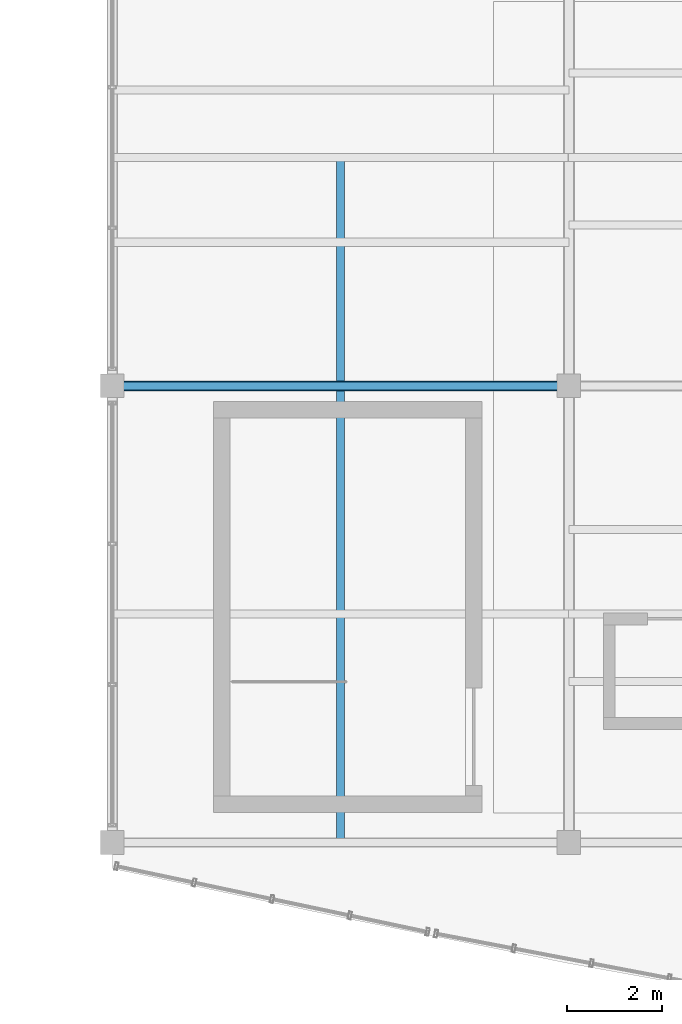
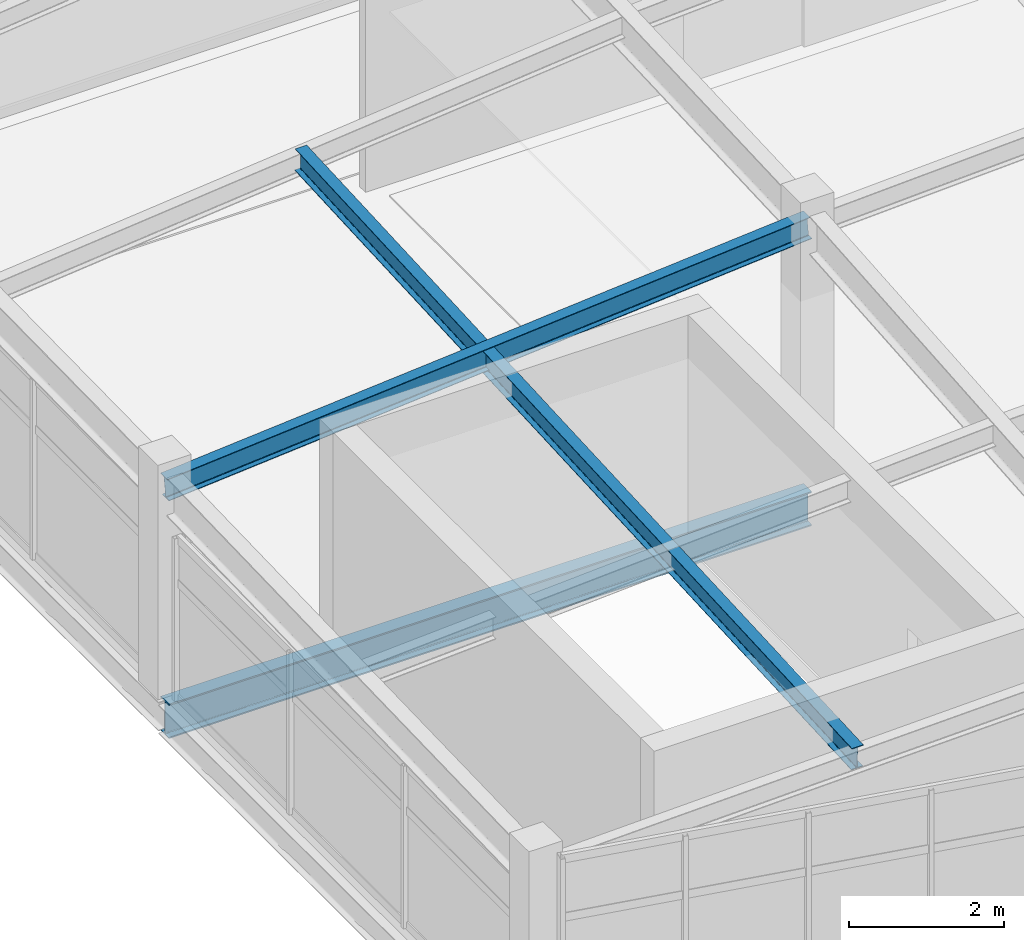
# One storey, part 33 of 65: 2 members, 1 beam.
"""IFC4 building model written with IfcOpenShell, lengths in metres."""

from ifc_helpers import new_model, si_unit, direction, frame, origin, origin_2d, place, context, subcontext, project, spatial, i_section, extrude, material, material_profile, profile_set, type_object, element, save


model = new_model("IFC4")

# Units and contexts
model_context = context("Model", 3, precision=1e-05, world=origin(), true_north=direction((0.0, 1.0)))
body_context = subcontext(model_context, "Body", "Model", "MODEL_VIEW")
ifc_project = project(units=[si_unit("LENGTHUNIT", "METRE"), si_unit("AREAUNIT", "SQUARE_METRE"), si_unit("VOLUMEUNIT", "CUBIC_METRE"), si_unit("PLANEANGLEUNIT", "RADIAN"), si_unit("MASSUNIT", "GRAM", prefix="KILO")], contexts=[model_context])

# Site, building, storey
site_placement = place(None, origin())
site = spatial("IfcSite", under=ifc_project, at=site_placement, CompositionType="ELEMENT")
building_placement = place(site_placement, origin())
building = spatial("IfcBuilding", under=site, at=building_placement, Name="Chalmorin Arch Market", CompositionType="ELEMENT")
storey_placement = place(building_placement, frame((0.0, 0.0, 14.10009765625)))
storey = spatial("IfcBuildingStorey", under=building, at=storey_placement, Name="L03", CompositionType="ELEMENT", Elevation=14.10009765625)

# Beam
ifc_material = material(Name="Steel A992 Grade 50", Category="steel")
ifc_material_profile_1 = material_profile(ifc_material, i_section(OverallWidth=0.2119140625, OverallDepth=0.5439453125, WebThickness=0.01318359375, FlangeThickness=0.021240234375, FilletRadius=0.02197265625, at=origin_2d()), Name="W21X83")
ifc_profile_set_1 = profile_set([ifc_material_profile_1], Name="Steel A992 Grade 50")
beam_type = type_object("IfcBeamType", Name="PrimarySteelGirder-W21X83", PredefinedType="BEAM", material=ifc_profile_set_1)
beam_placement = place(storey_placement, frame((48.0, 81.60009765625, -0.51416015625), z_axis=(1.0, 0.0, 0.0), x_axis=(0.0, 1.0, 0.0)))
element("IfcBeam", 1, at=beam_placement, inside=storey, type_object=beam_type, Name="BG-W21A-1378", PredefinedType="BEAM", context=body_context, shape_type="SweptSolid", body=[
    extrude(i_section(OverallWidth=0.2119140625, OverallDepth=0.5439453125, WebThickness=0.01318359375, FlangeThickness=0.021240234375, FilletRadius=0.02197265625, at=origin_2d()), origin(), (0.0, 0.0, 1.0), 9.60009765625),
])

# Members
ifc_material_profile_2 = material_profile(ifc_material, i_section(OverallWidth=0.1708984375, OverallDepth=0.35107421875, WebThickness=0.0068359375, FlangeThickness=0.009765625, FilletRadius=0.014892578125, at=origin_2d()), Name="W14X30")
ifc_profile_set_2 = profile_set([ifc_material_profile_2], Name="Steel A992 Grade 50")
member_type = type_object("IfcMemberType", Name="RoofSteelPurlin-W14X30", PredefinedType="PURLIN", material=ifc_profile_set_2)
member_1_placement = place(storey_placement, frame((52.800048828125, 72.0, 2.995849609375), z_axis=(0.0, 0.998689150859, 0.051185739769), x_axis=(-1.0, 0.0, 0.0)))
element("IfcMember", 2, at=member_1_placement, inside=storey, type_object=member_type, Name="PR-W14-0042", PredefinedType="PURLIN", context=body_context, shape_type="SweptSolid", body=[
    extrude(i_section(OverallWidth=0.1708984375, OverallDepth=0.35107421875, WebThickness=0.0068359375, FlangeThickness=0.009765625, FilletRadius=0.014892578125, at=origin_2d()), origin(), (0.0, 0.0, 1.0), 14.418701171875),
])
member_2_placement = place(storey_placement, frame((48.0, 81.60009765625, 3.1240234375), z_axis=(0.99670915214, 0.0, 0.081060878606), x_axis=(0.0, 1.0, 0.0)))
element("IfcMember", 3, at=member_2_placement, inside=storey, type_object=member_type, Name="PR-W14-0063", PredefinedType="PURLIN", context=body_context, shape_type="SweptSolid", body=[
    extrude(i_section(OverallWidth=0.1708984375, OverallDepth=0.35107421875, WebThickness=0.0068359375, FlangeThickness=0.009765625, FilletRadius=0.014892578125, at=origin_2d()), origin(), (0.0, 0.0, 1.0), 9.6318359375),
])

save(model, "model.ifc")
